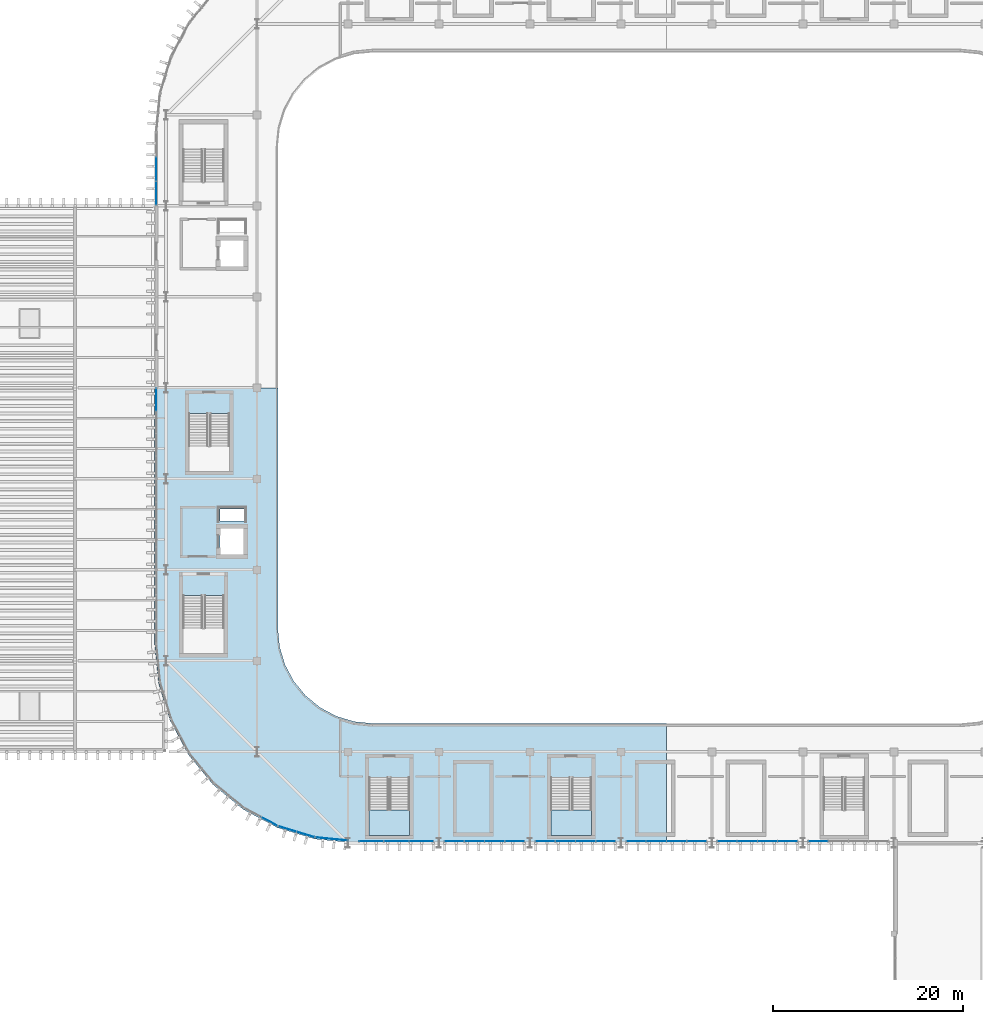
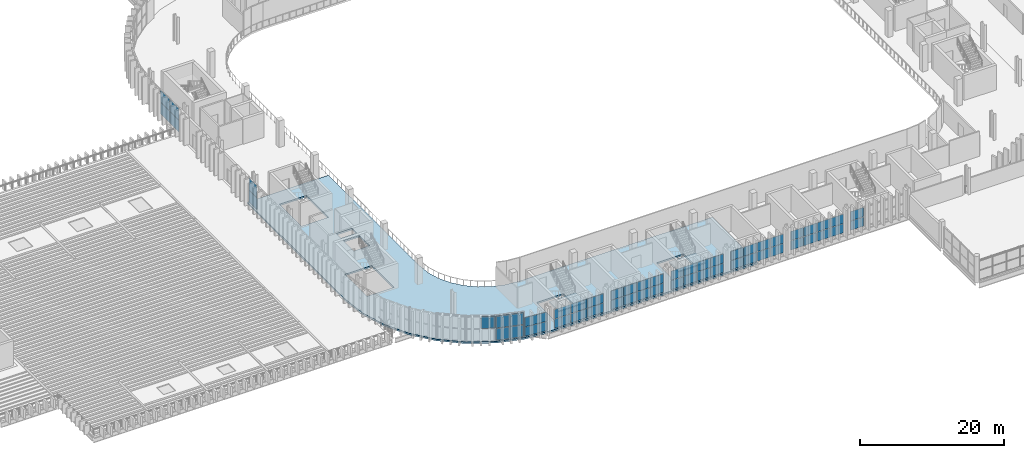
# One storey, part 49 of 92: 53 plates, 3 slabs, 13 elements without a shape of their own.
"""IFC4 building model written with IfcOpenShell, lengths in metres."""

from ifc_helpers import new_model, si_unit, direction, frame, origin, origin_2d, place, context, subcontext, project, spatial, polyline, rectangle, outline, extrude, material, layer, layer_set, type_object, element, aggregate, save


model = new_model("IFC4")

# Units and contexts
model_context = context("Model", 3, precision=1e-05, world=origin(), true_north=direction((0.0, 1.0)))
body_context = subcontext(model_context, "Body", "Model", "MODEL_VIEW")
ifc_project = project(units=[si_unit("LENGTHUNIT", "METRE"), si_unit("AREAUNIT", "SQUARE_METRE"), si_unit("VOLUMEUNIT", "CUBIC_METRE"), si_unit("PLANEANGLEUNIT", "RADIAN"), si_unit("MASSUNIT", "GRAM", prefix="KILO")], contexts=[model_context])

# Site, building, storey
site_placement = place(None, origin())
site = spatial("IfcSite", under=ifc_project, at=site_placement, CompositionType="ELEMENT")
building_placement = place(site_placement, origin())
building = spatial("IfcBuilding", under=site, at=building_placement, Name="Caelomonte Colonnade Arena", CompositionType="ELEMENT")
storey_placement = place(building_placement, frame((0.0, 0.0, 9.60009765625)))
storey = spatial("IfcBuildingStorey", under=building, at=storey_placement, Name="L02", CompositionType="ELEMENT", Elevation=9.60009765625)

# Curtain wall, plates
ifc_material_1 = material(Name="Bronze anodised aluminium and low-E glazing", Category="aluminium")
ifc_layer_1 = layer(ifc_material_1, 0.179931640625)
ifc_layer_set_1 = layer_set([ifc_layer_1], Name="Bronze anodised aluminium and low-E glazing")
curtain_wall_type_1 = type_object("IfcCurtainWallType", Name="ENV-CW-CW-L02-79-42", PredefinedType="USERDEFINED", material=ifc_layer_set_1)
curtain_wall_1_placement = place(storey_placement, origin())
curtain_wall_1 = element("IfcCurtainWall", 1, at=curtain_wall_1_placement, inside=storey, type_object=curtain_wall_type_1, Name="L02 unitized curtain wall CW-L02-0566-0904", ObjectType="UNITIZED CURTAIN WALL", PredefinedType="USERDEFINED")
ifc_material_2 = material(Name="Solar-control bronze low-E double glazing", Category="glass")
ifc_layer_2 = layer(ifc_material_2, 0.028076171875)
ifc_layer_set_2 = layer_set([ifc_layer_2], Name="Solar-control bronze low-E double glazing")
plate_type = type_object("IfcPlateType", Name="ENV-CW-PAN28", PredefinedType="CURTAIN_PANEL", material=ifc_layer_set_2)
plate_1_placement = place(storey_placement, frame((56.580078125, 90.300048828125, 0.070068359375), z_axis=(0.0, 0.0, 1.0), x_axis=(0.0, -1.0, 0.0)))
plate_1 = element("IfcPlate", 2, at=plate_1_placement, type_object=plate_type, Name="CW-L02-79-42 panel 2.1", PredefinedType="CURTAIN_PANEL", context=body_context, shape_type="SweptSolid", body=[
    extrude(rectangle(XDim=2.50341796875, YDim=0.028076171875, at=origin_2d()), origin(), (0.0, 0.0, 1.0), 2.0048828125),
])
plate_2_placement = place(storey_placement, frame((56.580078125, 90.300048828125, 2.14501953125), z_axis=(0.0, 0.0, 1.0), x_axis=(0.0, -1.0, 0.0)))
plate_2 = element("IfcPlate", 3, at=plate_2_placement, type_object=plate_type, Name="CW-L02-79-42 panel 2.2", PredefinedType="CURTAIN_PANEL", context=body_context, shape_type="SweptSolid", body=[
    extrude(rectangle(XDim=2.50341796875, YDim=0.028076171875, at=origin_2d()), origin(), (0.0, 0.0, 1.0), 2.0048828125),
])
plate_3_placement = place(storey_placement, frame((56.580078125, 87.744140625, 0.070068359375), z_axis=(0.0, 0.0, 1.0), x_axis=(0.0, -1.0, 0.0)))
plate_3 = element("IfcPlate", 4, at=plate_3_placement, type_object=plate_type, Name="CW-L02-79-42 panel 3.1", PredefinedType="CURTAIN_PANEL", context=body_context, shape_type="SweptSolid", body=[
    extrude(rectangle(XDim=2.46826171875, YDim=0.028076171875, at=origin_2d()), origin(), (0.0, 0.0, 1.0), 2.0048828125),
])
plate_4_placement = place(storey_placement, frame((56.580078125, 87.744140625, 2.14501953125), z_axis=(0.0, 0.0, 1.0), x_axis=(0.0, -1.0, 0.0)))
plate_4 = element("IfcPlate", 5, at=plate_4_placement, type_object=plate_type, Name="CW-L02-79-42 panel 3.2", PredefinedType="CURTAIN_PANEL", context=body_context, shape_type="SweptSolid", body=[
    extrude(rectangle(XDim=2.46826171875, YDim=0.028076171875, at=origin_2d()), origin(), (0.0, 0.0, 1.0), 2.0048828125),
])
aggregate(curtain_wall_1, [plate_1, plate_2, plate_3, plate_4])

ifc_layer_3 = layer(ifc_material_1, 0.179931640625)
ifc_layer_set_3 = layer_set([ifc_layer_3], Name="Bronze anodised aluminium and low-E glazing")
curtain_wall_type_2 = type_object("IfcCurtainWallType", Name="ENV-CW-CW-L02-96-42", PredefinedType="USERDEFINED", material=ifc_layer_set_3)
curtain_wall_2_placement = place(storey_placement, origin())
curtain_wall_2 = element("IfcCurtainWall", 6, at=curtain_wall_2_placement, inside=storey, type_object=curtain_wall_type_2, Name="L02 unitized curtain wall CW-L02-0566-0624", ObjectType="UNITIZED CURTAIN WALL", PredefinedType="USERDEFINED")
plate_5_placement = place(storey_placement, frame((56.580078125, 65.952392578125, 0.070068359375), z_axis=(0.0, 0.0, 1.0), x_axis=(0.0, -1.0, 0.0)))
plate_5 = element("IfcPlate", 7, at=plate_5_placement, type_object=plate_type, Name="CW-L02-96-42 panel 1.1", PredefinedType="CURTAIN_PANEL", context=body_context, shape_type="SweptSolid", body=[
    extrude(rectangle(XDim=2.27490234375, YDim=0.028076171875, at=origin_2d()), origin(), (0.0, 0.0, 1.0), 2.0048828125),
])
plate_6_placement = place(storey_placement, frame((56.580078125, 65.952392578125, 2.14501953125), z_axis=(0.0, 0.0, 1.0), x_axis=(0.0, -1.0, 0.0)))
plate_6 = element("IfcPlate", 8, at=plate_6_placement, type_object=plate_type, Name="CW-L02-96-42 panel 1.2", PredefinedType="CURTAIN_PANEL", context=body_context, shape_type="SweptSolid", body=[
    extrude(rectangle(XDim=2.27490234375, YDim=0.028076171875, at=origin_2d()), origin(), (0.0, 0.0, 1.0), 2.0048828125),
])
aggregate(curtain_wall_2, [plate_5, plate_6])

# Curtain wall, plate
ifc_layer_4 = layer(ifc_material_1, 0.179931640625)
ifc_layer_set_4 = layer_set([ifc_layer_4], Name="Bronze anodised aluminium and low-E glazing")
curtain_wall_type_3 = type_object("IfcCurtainWallType", Name="ENV-CW-CW-L02-44-42", PredefinedType="USERDEFINED", material=ifc_layer_set_4)
curtain_wall_3_placement = place(storey_placement, origin())
curtain_wall_3 = element("IfcCurtainWall", 9, at=curtain_wall_3_placement, inside=storey, type_object=curtain_wall_type_3, Name="L02 unitized curtain wall CW-L02-0676-0219", ObjectType="UNITIZED CURTAIN WALL", PredefinedType="USERDEFINED")
plate_7_placement = place(storey_placement, frame((68.5078125, 21.4599609375, 2.14501953125), z_axis=(0.0, 0.0, 1.0), x_axis=(0.881922613642, -0.471394212466, 0.0)))
plate_7 = element("IfcPlate", 10, at=plate_7_placement, type_object=plate_type, Name="CW-L02-44-42 panel 2.2", PredefinedType="CURTAIN_PANEL", context=body_context, shape_type="SweptSolid", body=[
    extrude(rectangle(XDim=1.913330078125, YDim=0.028076171875, at=origin_2d()), origin(), (0.0, 0.0, 1.0), 2.0048828125),
])
aggregate(curtain_wall_3, [plate_7])

# Curtain wall, plates
curtain_wall_4_placement = place(storey_placement, origin())
curtain_wall_4 = element("IfcCurtainWall", 11, at=curtain_wall_4_placement, inside=storey, type_object=curtain_wall_type_3, Name="L02 unitized curtain wall CW-L02-0714-0204", ObjectType="UNITIZED CURTAIN WALL", PredefinedType="USERDEFINED")
plate_8_placement = place(storey_placement, frame((70.4365234375, 20.6611328125, 0.070068359375), z_axis=(0.0, 0.0, 1.0), x_axis=(0.956949160999, -0.290255582655, 0.0)))
plate_8 = element("IfcPlate", 12, at=plate_8_placement, type_object=plate_type, Name="CW-L02-44-42 panel 1.1", PredefinedType="CURTAIN_PANEL", context=body_context, shape_type="SweptSolid", body=[
    extrude(rectangle(XDim=1.913330078125, YDim=0.028076171875, at=origin_2d()), origin(), (0.0, 0.0, 1.0), 2.0048828125),
])
plate_9_placement = place(storey_placement, frame((70.4365234375, 20.6611328125, 2.14501953125), z_axis=(0.0, 0.0, 1.0), x_axis=(0.956949160999, -0.290255582655, 0.0)))
plate_9 = element("IfcPlate", 13, at=plate_9_placement, type_object=plate_type, Name="CW-L02-44-42 panel 1.2", PredefinedType="CURTAIN_PANEL", context=body_context, shape_type="SweptSolid", body=[
    extrude(rectangle(XDim=1.913330078125, YDim=0.028076171875, at=origin_2d()), origin(), (0.0, 0.0, 1.0), 2.0048828125),
])
plate_10_placement = place(storey_placement, frame((72.334716796875, 20.08544921875, 0.070068359375), z_axis=(0.0, 0.0, 1.0), x_axis=(0.956949160999, -0.290255582655, 0.0)))
plate_10 = element("IfcPlate", 14, at=plate_10_placement, type_object=plate_type, Name="CW-L02-44-42 panel 2.1", PredefinedType="CURTAIN_PANEL", context=body_context, shape_type="SweptSolid", body=[
    extrude(rectangle(XDim=1.913330078125, YDim=0.028076171875, at=origin_2d()), origin(), (0.0, 0.0, 1.0), 2.0048828125),
])
plate_11_placement = place(storey_placement, frame((72.334716796875, 20.08544921875, 2.14501953125), z_axis=(0.0, 0.0, 1.0), x_axis=(0.956949160999, -0.290255582655, 0.0)))
plate_11 = element("IfcPlate", 15, at=plate_11_placement, type_object=plate_type, Name="CW-L02-44-42 panel 2.2", PredefinedType="CURTAIN_PANEL", context=body_context, shape_type="SweptSolid", body=[
    extrude(rectangle(XDim=1.913330078125, YDim=0.028076171875, at=origin_2d()), origin(), (0.0, 0.0, 1.0), 2.0048828125),
])
aggregate(curtain_wall_4, [plate_8, plate_9, plate_10, plate_11])

ifc_layer_5 = layer(ifc_material_1, 0.179931640625)
ifc_layer_set_5 = layer_set([ifc_layer_5], Name="Bronze anodised aluminium and low-E glazing")
curtain_wall_type_4 = type_object("IfcCurtainWallType", Name="ENV-CW-CW-L02-42-33", PredefinedType="USERDEFINED", material=ifc_layer_set_5)
curtain_wall_5_placement = place(storey_placement, origin())
curtain_wall_5 = element("IfcCurtainWall", 16, at=curtain_wall_5_placement, inside=storey, type_object=curtain_wall_type_4, Name="L02 unitized curtain wall CW-L02-0753-0196", ObjectType="UNITIZED CURTAIN WALL", PredefinedType="USERDEFINED")
plate_12_placement = place(storey_placement, frame((75.127685546875, 19.604736328125, 0.06982421875), z_axis=(0.0, 0.0, 1.0), x_axis=(0.995184134744, -0.098023150088, 0.0)))
plate_12 = element("IfcPlate", 17, at=plate_12_placement, type_object=plate_type, Name="CW-L02-42-33 panel 1.1", PredefinedType="CURTAIN_PANEL", context=body_context, shape_type="SweptSolid", body=[
    extrude(rectangle(XDim=3.4111328125, YDim=0.028076171875, at=origin_2d()), origin(), (0.0, 0.0, 1.0), 1.54150390625),
])
plate_13_placement = place(storey_placement, frame((75.127685546875, 19.604736328125, 1.681396484375), z_axis=(0.0, 0.0, 1.0), x_axis=(0.995184134744, -0.098023150088, 0.0)))
plate_13 = element("IfcPlate", 18, at=plate_13_placement, type_object=plate_type, Name="CW-L02-42-33 panel 1.2", PredefinedType="CURTAIN_PANEL", context=body_context, shape_type="SweptSolid", body=[
    extrude(rectangle(XDim=3.4111328125, YDim=0.028076171875, at=origin_2d()), origin(), (0.0, 0.0, 1.0), 1.54150390625),
])
aggregate(curtain_wall_5, [plate_12, plate_13])

ifc_layer_6 = layer(ifc_material_1, 0.179931640625)
ifc_layer_set_6 = layer_set([ifc_layer_6], Name="Bronze anodised aluminium and low-E glazing")
curtain_wall_type_5 = type_object("IfcCurtainWallType", Name="ENV-CW-CW-L02-90-33", PredefinedType="USERDEFINED", material=ifc_layer_set_6)
curtain_wall_6_placement = place(storey_placement, origin())
curtain_wall_6 = element("IfcCurtainWall", 19, at=curtain_wall_6_placement, inside=storey, type_object=curtain_wall_type_5, Name="L02 unitized curtain wall CW-L02-0819-0194", ObjectType="UNITIZED CURTAIN WALL", PredefinedType="USERDEFINED")
plate_14_placement = place(storey_placement, frame((79.267822265625, 19.3798828125, 0.06982421875), z_axis=(0.0, 0.0, 1.0), x_axis=(1.0, 0.0, 0.0)))
plate_14 = element("IfcPlate", 20, at=plate_14_placement, type_object=plate_type, Name="CW-L02-90-33 panel 1.1", PredefinedType="CURTAIN_PANEL", context=body_context, shape_type="SweptSolid", body=[
    extrude(rectangle(XDim=2.544677734375, YDim=0.028076171875, at=origin_2d()), origin(), (0.0, 0.0, 1.0), 1.54150390625),
])
plate_15_placement = place(storey_placement, frame((79.267822265625, 19.3798828125, 1.681396484375), z_axis=(0.0, 0.0, 1.0), x_axis=(1.0, 0.0, 0.0)))
plate_15 = element("IfcPlate", 21, at=plate_15_placement, type_object=plate_type, Name="CW-L02-90-33 panel 1.2", PredefinedType="CURTAIN_PANEL", context=body_context, shape_type="SweptSolid", body=[
    extrude(rectangle(XDim=2.544677734375, YDim=0.028076171875, at=origin_2d()), origin(), (0.0, 0.0, 1.0), 1.54150390625),
])
plate_16_placement = place(storey_placement, frame((81.89990234375, 19.3798828125, 0.06982421875), z_axis=(0.0, 0.0, 1.0), x_axis=(1.0, 0.0, 0.0)))
plate_16 = element("IfcPlate", 22, at=plate_16_placement, type_object=plate_type, Name="CW-L02-90-33 panel 2.1", PredefinedType="CURTAIN_PANEL", context=body_context, shape_type="SweptSolid", body=[
    extrude(rectangle(XDim=2.57958984375, YDim=0.028076171875, at=origin_2d()), origin(), (0.0, 0.0, 1.0), 1.54150390625),
])
plate_17_placement = place(storey_placement, frame((81.89990234375, 19.3798828125, 1.681396484375), z_axis=(0.0, 0.0, 1.0), x_axis=(1.0, 0.0, 0.0)))
plate_17 = element("IfcPlate", 23, at=plate_17_placement, type_object=plate_type, Name="CW-L02-90-33 panel 2.2", PredefinedType="CURTAIN_PANEL", context=body_context, shape_type="SweptSolid", body=[
    extrude(rectangle(XDim=2.57958984375, YDim=0.028076171875, at=origin_2d()), origin(), (0.0, 0.0, 1.0), 1.54150390625),
])
plate_18_placement = place(storey_placement, frame((84.5322265625, 19.3798828125, 0.06982421875), z_axis=(0.0, 0.0, 1.0), x_axis=(1.0, 0.0, 0.0)))
plate_18 = element("IfcPlate", 24, at=plate_18_placement, type_object=plate_type, Name="CW-L02-90-33 panel 3.1", PredefinedType="CURTAIN_PANEL", context=body_context, shape_type="SweptSolid", body=[
    extrude(rectangle(XDim=2.544677734375, YDim=0.028076171875, at=origin_2d()), origin(), (0.0, 0.0, 1.0), 1.54150390625),
])
plate_19_placement = place(storey_placement, frame((84.5322265625, 19.3798828125, 1.681396484375), z_axis=(0.0, 0.0, 1.0), x_axis=(1.0, 0.0, 0.0)))
plate_19 = element("IfcPlate", 25, at=plate_19_placement, type_object=plate_type, Name="CW-L02-90-33 panel 3.2", PredefinedType="CURTAIN_PANEL", context=body_context, shape_type="SweptSolid", body=[
    extrude(rectangle(XDim=2.544677734375, YDim=0.028076171875, at=origin_2d()), origin(), (0.0, 0.0, 1.0), 1.54150390625),
])
aggregate(curtain_wall_6, [plate_14, plate_15, plate_16, plate_17, plate_18, plate_19])

ifc_layer_7 = layer(ifc_material_1, 0.179931640625)
ifc_layer_set_7 = layer_set([ifc_layer_7], Name="Bronze anodised aluminium and low-E glazing")
curtain_wall_type_6 = type_object("IfcCurtainWallType", Name="ENV-CW-CW-L02-96-33", PredefinedType="USERDEFINED", material=ifc_layer_set_7)
curtain_wall_7_placement = place(storey_placement, origin())
curtain_wall_7 = element("IfcCurtainWall", 26, at=curtain_wall_7_placement, inside=storey, type_object=curtain_wall_type_6, Name="L02 unitized curtain wall CW-L02-0912-0194", ObjectType="UNITIZED CURTAIN WALL", PredefinedType="USERDEFINED")
plate_20_placement = place(storey_placement, frame((88.01171875, 19.3798828125, 0.06982421875), z_axis=(0.0, 0.0, 1.0), x_axis=(1.0, 0.0, 0.0)))
plate_20 = element("IfcPlate", 27, at=plate_20_placement, type_object=plate_type, Name="CW-L02-96-33 panel 1.1", PredefinedType="CURTAIN_PANEL", context=body_context, shape_type="SweptSolid", body=[
    extrude(rectangle(XDim=2.0322265625, YDim=0.028076171875, at=origin_2d()), origin(), (0.0, 0.0, 1.0), 1.54150390625),
])
plate_21_placement = place(storey_placement, frame((88.01171875, 19.3798828125, 1.681396484375), z_axis=(0.0, 0.0, 1.0), x_axis=(1.0, 0.0, 0.0)))
plate_21 = element("IfcPlate", 28, at=plate_21_placement, type_object=plate_type, Name="CW-L02-96-33 panel 1.2", PredefinedType="CURTAIN_PANEL", context=body_context, shape_type="SweptSolid", body=[
    extrude(rectangle(XDim=2.0322265625, YDim=0.028076171875, at=origin_2d()), origin(), (0.0, 0.0, 1.0), 1.54150390625),
])
plate_22_placement = place(storey_placement, frame((90.13134765625, 19.3798828125, 0.06982421875), z_axis=(0.0, 0.0, 1.0), x_axis=(1.0, 0.0, 0.0)))
plate_22 = element("IfcPlate", 29, at=plate_22_placement, type_object=plate_type, Name="CW-L02-96-33 panel 2.1", PredefinedType="CURTAIN_PANEL", context=body_context, shape_type="SweptSolid", body=[
    extrude(rectangle(XDim=2.067138671875, YDim=0.028076171875, at=origin_2d()), origin(), (0.0, 0.0, 1.0), 1.54150390625),
])
plate_23_placement = place(storey_placement, frame((90.13134765625, 19.3798828125, 1.681396484375), z_axis=(0.0, 0.0, 1.0), x_axis=(1.0, 0.0, 0.0)))
plate_23 = element("IfcPlate", 30, at=plate_23_placement, type_object=plate_type, Name="CW-L02-96-33 panel 2.2", PredefinedType="CURTAIN_PANEL", context=body_context, shape_type="SweptSolid", body=[
    extrude(rectangle(XDim=2.067138671875, YDim=0.028076171875, at=origin_2d()), origin(), (0.0, 0.0, 1.0), 1.54150390625),
])
plate_24_placement = place(storey_placement, frame((92.2685546875, 19.3798828125, 0.06982421875), z_axis=(0.0, 0.0, 1.0), x_axis=(1.0, 0.0, 0.0)))
plate_24 = element("IfcPlate", 31, at=plate_24_placement, type_object=plate_type, Name="CW-L02-96-33 panel 3.1", PredefinedType="CURTAIN_PANEL", context=body_context, shape_type="SweptSolid", body=[
    extrude(rectangle(XDim=2.067138671875, YDim=0.028076171875, at=origin_2d()), origin(), (0.0, 0.0, 1.0), 1.54150390625),
])
plate_25_placement = place(storey_placement, frame((92.2685546875, 19.3798828125, 1.681396484375), z_axis=(0.0, 0.0, 1.0), x_axis=(1.0, 0.0, 0.0)))
plate_25 = element("IfcPlate", 32, at=plate_25_placement, type_object=plate_type, Name="CW-L02-96-33 panel 3.2", PredefinedType="CURTAIN_PANEL", context=body_context, shape_type="SweptSolid", body=[
    extrude(rectangle(XDim=2.067138671875, YDim=0.028076171875, at=origin_2d()), origin(), (0.0, 0.0, 1.0), 1.54150390625),
])
plate_26_placement = place(storey_placement, frame((94.388427734375, 19.3798828125, 0.06982421875), z_axis=(0.0, 0.0, 1.0), x_axis=(1.0, 0.0, 0.0)))
plate_26 = element("IfcPlate", 33, at=plate_26_placement, type_object=plate_type, Name="CW-L02-96-33 panel 4.1", PredefinedType="CURTAIN_PANEL", context=body_context, shape_type="SweptSolid", body=[
    extrude(rectangle(XDim=2.0322265625, YDim=0.028076171875, at=origin_2d()), origin(), (0.0, 0.0, 1.0), 1.54150390625),
])
plate_27_placement = place(storey_placement, frame((94.388427734375, 19.3798828125, 1.681396484375), z_axis=(0.0, 0.0, 1.0), x_axis=(1.0, 0.0, 0.0)))
plate_27 = element("IfcPlate", 34, at=plate_27_placement, type_object=plate_type, Name="CW-L02-96-33 panel 4.2", PredefinedType="CURTAIN_PANEL", context=body_context, shape_type="SweptSolid", body=[
    extrude(rectangle(XDim=2.0322265625, YDim=0.028076171875, at=origin_2d()), origin(), (0.0, 0.0, 1.0), 1.54150390625),
])
aggregate(curtain_wall_7, [plate_20, plate_21, plate_22, plate_23, plate_24, plate_25, plate_26, plate_27])

curtain_wall_8_placement = place(storey_placement, origin())
curtain_wall_8 = element("IfcCurtainWall", 35, at=curtain_wall_8_placement, inside=storey, type_object=curtain_wall_type_6, Name="L02 unitized curtain wall CW-L02-1008-0194", ObjectType="UNITIZED CURTAIN WALL", PredefinedType="USERDEFINED")
plate_28_placement = place(storey_placement, frame((97.611572265625, 19.3798828125, 0.06982421875), z_axis=(0.0, 0.0, 1.0), x_axis=(1.0, 0.0, 0.0)))
plate_28 = element("IfcPlate", 36, at=plate_28_placement, type_object=plate_type, Name="CW-L02-96-33 panel 1.1", PredefinedType="CURTAIN_PANEL", context=body_context, shape_type="SweptSolid", body=[
    extrude(rectangle(XDim=2.0322265625, YDim=0.028076171875, at=origin_2d()), origin(), (0.0, 0.0, 1.0), 1.54150390625),
])
plate_29_placement = place(storey_placement, frame((97.611572265625, 19.3798828125, 1.681396484375), z_axis=(0.0, 0.0, 1.0), x_axis=(1.0, 0.0, 0.0)))
plate_29 = element("IfcPlate", 37, at=plate_29_placement, type_object=plate_type, Name="CW-L02-96-33 panel 1.2", PredefinedType="CURTAIN_PANEL", context=body_context, shape_type="SweptSolid", body=[
    extrude(rectangle(XDim=2.0322265625, YDim=0.028076171875, at=origin_2d()), origin(), (0.0, 0.0, 1.0), 1.54150390625),
])
plate_30_placement = place(storey_placement, frame((99.7314453125, 19.3798828125, 0.06982421875), z_axis=(0.0, 0.0, 1.0), x_axis=(1.0, 0.0, 0.0)))
plate_30 = element("IfcPlate", 38, at=plate_30_placement, type_object=plate_type, Name="CW-L02-96-33 panel 2.1", PredefinedType="CURTAIN_PANEL", context=body_context, shape_type="SweptSolid", body=[
    extrude(rectangle(XDim=2.067138671875, YDim=0.028076171875, at=origin_2d()), origin(), (0.0, 0.0, 1.0), 1.54150390625),
])
plate_31_placement = place(storey_placement, frame((99.7314453125, 19.3798828125, 1.681396484375), z_axis=(0.0, 0.0, 1.0), x_axis=(1.0, 0.0, 0.0)))
plate_31 = element("IfcPlate", 39, at=plate_31_placement, type_object=plate_type, Name="CW-L02-96-33 panel 2.2", PredefinedType="CURTAIN_PANEL", context=body_context, shape_type="SweptSolid", body=[
    extrude(rectangle(XDim=2.067138671875, YDim=0.028076171875, at=origin_2d()), origin(), (0.0, 0.0, 1.0), 1.54150390625),
])
plate_32_placement = place(storey_placement, frame((101.86865234375, 19.3798828125, 0.06982421875), z_axis=(0.0, 0.0, 1.0), x_axis=(1.0, 0.0, 0.0)))
plate_32 = element("IfcPlate", 40, at=plate_32_placement, type_object=plate_type, Name="CW-L02-96-33 panel 3.1", PredefinedType="CURTAIN_PANEL", context=body_context, shape_type="SweptSolid", body=[
    extrude(rectangle(XDim=2.067138671875, YDim=0.028076171875, at=origin_2d()), origin(), (0.0, 0.0, 1.0), 1.54150390625),
])
plate_33_placement = place(storey_placement, frame((101.86865234375, 19.3798828125, 1.681396484375), z_axis=(0.0, 0.0, 1.0), x_axis=(1.0, 0.0, 0.0)))
plate_33 = element("IfcPlate", 41, at=plate_33_placement, type_object=plate_type, Name="CW-L02-96-33 panel 3.2", PredefinedType="CURTAIN_PANEL", context=body_context, shape_type="SweptSolid", body=[
    extrude(rectangle(XDim=2.067138671875, YDim=0.028076171875, at=origin_2d()), origin(), (0.0, 0.0, 1.0), 1.54150390625),
])
plate_34_placement = place(storey_placement, frame((103.98828125, 19.3798828125, 0.06982421875), z_axis=(0.0, 0.0, 1.0), x_axis=(1.0, 0.0, 0.0)))
plate_34 = element("IfcPlate", 42, at=plate_34_placement, type_object=plate_type, Name="CW-L02-96-33 panel 4.1", PredefinedType="CURTAIN_PANEL", context=body_context, shape_type="SweptSolid", body=[
    extrude(rectangle(XDim=2.0322265625, YDim=0.028076171875, at=origin_2d()), origin(), (0.0, 0.0, 1.0), 1.54150390625),
])
plate_35_placement = place(storey_placement, frame((103.98828125, 19.3798828125, 1.681396484375), z_axis=(0.0, 0.0, 1.0), x_axis=(1.0, 0.0, 0.0)))
plate_35 = element("IfcPlate", 43, at=plate_35_placement, type_object=plate_type, Name="CW-L02-96-33 panel 4.2", PredefinedType="CURTAIN_PANEL", context=body_context, shape_type="SweptSolid", body=[
    extrude(rectangle(XDim=2.0322265625, YDim=0.028076171875, at=origin_2d()), origin(), (0.0, 0.0, 1.0), 1.54150390625),
])
aggregate(curtain_wall_8, [plate_28, plate_29, plate_30, plate_31, plate_32, plate_33, plate_34, plate_35])

curtain_wall_9_placement = place(storey_placement, origin())
curtain_wall_9 = element("IfcCurtainWall", 44, at=curtain_wall_9_placement, inside=storey, type_object=curtain_wall_type_6, Name="L02 unitized curtain wall CW-L02-1104-0194", ObjectType="UNITIZED CURTAIN WALL", PredefinedType="USERDEFINED")
plate_36_placement = place(storey_placement, frame((107.211669921875, 19.3798828125, 0.06982421875), z_axis=(0.0, 0.0, 1.0), x_axis=(1.0, 0.0, 0.0)))
plate_36 = element("IfcPlate", 45, at=plate_36_placement, type_object=plate_type, Name="CW-L02-96-33 panel 1.1", PredefinedType="CURTAIN_PANEL", context=body_context, shape_type="SweptSolid", body=[
    extrude(rectangle(XDim=2.0322265625, YDim=0.028076171875, at=origin_2d()), origin(), (0.0, 0.0, 1.0), 1.54150390625),
])
plate_37_placement = place(storey_placement, frame((107.211669921875, 19.3798828125, 1.681396484375), z_axis=(0.0, 0.0, 1.0), x_axis=(1.0, 0.0, 0.0)))
plate_37 = element("IfcPlate", 46, at=plate_37_placement, type_object=plate_type, Name="CW-L02-96-33 panel 1.2", PredefinedType="CURTAIN_PANEL", context=body_context, shape_type="SweptSolid", body=[
    extrude(rectangle(XDim=2.0322265625, YDim=0.028076171875, at=origin_2d()), origin(), (0.0, 0.0, 1.0), 1.54150390625),
])
plate_38_placement = place(storey_placement, frame((109.331298828125, 19.3798828125, 0.06982421875), z_axis=(0.0, 0.0, 1.0), x_axis=(1.0, 0.0, 0.0)))
plate_38 = element("IfcPlate", 47, at=plate_38_placement, type_object=plate_type, Name="CW-L02-96-33 panel 2.1", PredefinedType="CURTAIN_PANEL", context=body_context, shape_type="SweptSolid", body=[
    extrude(rectangle(XDim=2.067138671875, YDim=0.028076171875, at=origin_2d()), origin(), (0.0, 0.0, 1.0), 1.54150390625),
])
plate_39_placement = place(storey_placement, frame((109.331298828125, 19.3798828125, 1.681396484375), z_axis=(0.0, 0.0, 1.0), x_axis=(1.0, 0.0, 0.0)))
plate_39 = element("IfcPlate", 48, at=plate_39_placement, type_object=plate_type, Name="CW-L02-96-33 panel 2.2", PredefinedType="CURTAIN_PANEL", context=body_context, shape_type="SweptSolid", body=[
    extrude(rectangle(XDim=2.067138671875, YDim=0.028076171875, at=origin_2d()), origin(), (0.0, 0.0, 1.0), 1.54150390625),
])
plate_40_placement = place(storey_placement, frame((111.468505859375, 19.3798828125, 0.06982421875), z_axis=(0.0, 0.0, 1.0), x_axis=(1.0, 0.0, 0.0)))
plate_40 = element("IfcPlate", 49, at=plate_40_placement, type_object=plate_type, Name="CW-L02-96-33 panel 3.1", PredefinedType="CURTAIN_PANEL", context=body_context, shape_type="SweptSolid", body=[
    extrude(rectangle(XDim=2.067138671875, YDim=0.028076171875, at=origin_2d()), origin(), (0.0, 0.0, 1.0), 1.54150390625),
])
plate_41_placement = place(storey_placement, frame((111.468505859375, 19.3798828125, 1.681396484375), z_axis=(0.0, 0.0, 1.0), x_axis=(1.0, 0.0, 0.0)))
plate_41 = element("IfcPlate", 50, at=plate_41_placement, type_object=plate_type, Name="CW-L02-96-33 panel 3.2", PredefinedType="CURTAIN_PANEL", context=body_context, shape_type="SweptSolid", body=[
    extrude(rectangle(XDim=2.067138671875, YDim=0.028076171875, at=origin_2d()), origin(), (0.0, 0.0, 1.0), 1.54150390625),
])
plate_42_placement = place(storey_placement, frame((113.58837890625, 19.3798828125, 0.06982421875), z_axis=(0.0, 0.0, 1.0), x_axis=(1.0, 0.0, 0.0)))
plate_42 = element("IfcPlate", 51, at=plate_42_placement, type_object=plate_type, Name="CW-L02-96-33 panel 4.1", PredefinedType="CURTAIN_PANEL", context=body_context, shape_type="SweptSolid", body=[
    extrude(rectangle(XDim=2.0322265625, YDim=0.028076171875, at=origin_2d()), origin(), (0.0, 0.0, 1.0), 1.54150390625),
])
plate_43_placement = place(storey_placement, frame((113.58837890625, 19.3798828125, 1.681396484375), z_axis=(0.0, 0.0, 1.0), x_axis=(1.0, 0.0, 0.0)))
plate_43 = element("IfcPlate", 52, at=plate_43_placement, type_object=plate_type, Name="CW-L02-96-33 panel 4.2", PredefinedType="CURTAIN_PANEL", context=body_context, shape_type="SweptSolid", body=[
    extrude(rectangle(XDim=2.0322265625, YDim=0.028076171875, at=origin_2d()), origin(), (0.0, 0.0, 1.0), 1.54150390625),
])
aggregate(curtain_wall_9, [plate_36, plate_37, plate_38, plate_39, plate_40, plate_41, plate_42, plate_43])

curtain_wall_10_placement = place(storey_placement, origin())
curtain_wall_10 = element("IfcCurtainWall", 53, at=curtain_wall_10_placement, inside=storey, type_object=curtain_wall_type_6, Name="L02 unitized curtain wall CW-L02-1200-0194", ObjectType="UNITIZED CURTAIN WALL", PredefinedType="USERDEFINED")
plate_44_placement = place(storey_placement, frame((116.8115234375, 19.3798828125, 0.06982421875), z_axis=(0.0, 0.0, 1.0), x_axis=(1.0, 0.0, 0.0)))
plate_44 = element("IfcPlate", 54, at=plate_44_placement, type_object=plate_type, Name="CW-L02-96-33 panel 1.1", PredefinedType="CURTAIN_PANEL", context=body_context, shape_type="SweptSolid", body=[
    extrude(rectangle(XDim=2.0322265625, YDim=0.028076171875, at=origin_2d()), origin(), (0.0, 0.0, 1.0), 1.54150390625),
])
plate_45_placement = place(storey_placement, frame((116.8115234375, 19.3798828125, 1.681396484375), z_axis=(0.0, 0.0, 1.0), x_axis=(1.0, 0.0, 0.0)))
plate_45 = element("IfcPlate", 55, at=plate_45_placement, type_object=plate_type, Name="CW-L02-96-33 panel 1.2", PredefinedType="CURTAIN_PANEL", context=body_context, shape_type="SweptSolid", body=[
    extrude(rectangle(XDim=2.0322265625, YDim=0.028076171875, at=origin_2d()), origin(), (0.0, 0.0, 1.0), 1.54150390625),
])
plate_46_placement = place(storey_placement, frame((118.931396484375, 19.3798828125, 0.06982421875), z_axis=(0.0, 0.0, 1.0), x_axis=(1.0, 0.0, 0.0)))
plate_46 = element("IfcPlate", 56, at=plate_46_placement, type_object=plate_type, Name="CW-L02-96-33 panel 2.1", PredefinedType="CURTAIN_PANEL", context=body_context, shape_type="SweptSolid", body=[
    extrude(rectangle(XDim=2.067138671875, YDim=0.028076171875, at=origin_2d()), origin(), (0.0, 0.0, 1.0), 1.54150390625),
])
plate_47_placement = place(storey_placement, frame((118.931396484375, 19.3798828125, 1.681396484375), z_axis=(0.0, 0.0, 1.0), x_axis=(1.0, 0.0, 0.0)))
plate_47 = element("IfcPlate", 57, at=plate_47_placement, type_object=plate_type, Name="CW-L02-96-33 panel 2.2", PredefinedType="CURTAIN_PANEL", context=body_context, shape_type="SweptSolid", body=[
    extrude(rectangle(XDim=2.067138671875, YDim=0.028076171875, at=origin_2d()), origin(), (0.0, 0.0, 1.0), 1.54150390625),
])
plate_48_placement = place(storey_placement, frame((121.068603515625, 19.3798828125, 0.06982421875), z_axis=(0.0, 0.0, 1.0), x_axis=(1.0, 0.0, 0.0)))
plate_48 = element("IfcPlate", 58, at=plate_48_placement, type_object=plate_type, Name="CW-L02-96-33 panel 3.1", PredefinedType="CURTAIN_PANEL", context=body_context, shape_type="SweptSolid", body=[
    extrude(rectangle(XDim=2.067138671875, YDim=0.028076171875, at=origin_2d()), origin(), (0.0, 0.0, 1.0), 1.54150390625),
])
plate_49_placement = place(storey_placement, frame((121.068603515625, 19.3798828125, 1.681396484375), z_axis=(0.0, 0.0, 1.0), x_axis=(1.0, 0.0, 0.0)))
plate_49 = element("IfcPlate", 59, at=plate_49_placement, type_object=plate_type, Name="CW-L02-96-33 panel 3.2", PredefinedType="CURTAIN_PANEL", context=body_context, shape_type="SweptSolid", body=[
    extrude(rectangle(XDim=2.067138671875, YDim=0.028076171875, at=origin_2d()), origin(), (0.0, 0.0, 1.0), 1.54150390625),
])
plate_50_placement = place(storey_placement, frame((123.1884765625, 19.3798828125, 0.06982421875), z_axis=(0.0, 0.0, 1.0), x_axis=(1.0, 0.0, 0.0)))
plate_50 = element("IfcPlate", 60, at=plate_50_placement, type_object=plate_type, Name="CW-L02-96-33 panel 4.1", PredefinedType="CURTAIN_PANEL", context=body_context, shape_type="SweptSolid", body=[
    extrude(rectangle(XDim=2.0322265625, YDim=0.028076171875, at=origin_2d()), origin(), (0.0, 0.0, 1.0), 1.54150390625),
])
plate_51_placement = place(storey_placement, frame((123.1884765625, 19.3798828125, 1.681396484375), z_axis=(0.0, 0.0, 1.0), x_axis=(1.0, 0.0, 0.0)))
plate_51 = element("IfcPlate", 61, at=plate_51_placement, type_object=plate_type, Name="CW-L02-96-33 panel 4.2", PredefinedType="CURTAIN_PANEL", context=body_context, shape_type="SweptSolid", body=[
    extrude(rectangle(XDim=2.0322265625, YDim=0.028076171875, at=origin_2d()), origin(), (0.0, 0.0, 1.0), 1.54150390625),
])
aggregate(curtain_wall_10, [plate_44, plate_45, plate_46, plate_47, plate_48, plate_49, plate_50, plate_51])

curtain_wall_11_placement = place(storey_placement, origin())
curtain_wall_11 = element("IfcCurtainWall", 62, at=curtain_wall_11_placement, inside=storey, type_object=curtain_wall_type_6, Name="L02 unitized curtain wall CW-L02-1296-0194", ObjectType="UNITIZED CURTAIN WALL", PredefinedType="USERDEFINED")
plate_52_placement = place(storey_placement, frame((126.41162109375, 19.3798828125, 0.06982421875), z_axis=(0.0, 0.0, 1.0), x_axis=(1.0, 0.0, 0.0)))
plate_52 = element("IfcPlate", 63, at=plate_52_placement, type_object=plate_type, Name="CW-L02-96-33 panel 1.1", PredefinedType="CURTAIN_PANEL", context=body_context, shape_type="SweptSolid", body=[
    extrude(rectangle(XDim=2.0322265625, YDim=0.028076171875, at=origin_2d()), origin(), (0.0, 0.0, 1.0), 1.54150390625),
])
plate_53_placement = place(storey_placement, frame((126.41162109375, 19.3798828125, 1.681396484375), z_axis=(0.0, 0.0, 1.0), x_axis=(1.0, 0.0, 0.0)))
plate_53 = element("IfcPlate", 64, at=plate_53_placement, type_object=plate_type, Name="CW-L02-96-33 panel 1.2", PredefinedType="CURTAIN_PANEL", context=body_context, shape_type="SweptSolid", body=[
    extrude(rectangle(XDim=2.0322265625, YDim=0.028076171875, at=origin_2d()), origin(), (0.0, 0.0, 1.0), 1.54150390625),
])
aggregate(curtain_wall_11, [plate_52, plate_53])

# Stair, slab
ifc_material_3 = material(Name="Concrete C40/50", Category="concrete")
stair_type = type_object("IfcStairType", Name="INT-ST-CORE45", PredefinedType="HALF_TURN_STAIR", material=ifc_material_3)
stair_1_placement = place(storey_placement, origin())
stair_1 = element("IfcStair", 65, at=stair_1_placement, inside=storey, type_object=stair_type, Name="L02 Protected exit stair ST-11", PredefinedType="HALF_TURN_STAIR")
ifc_layer_8 = layer(ifc_material_3, 0.199951171875)
ifc_layer_set_8 = layer_set([ifc_layer_8], Name="Concrete C40/50")
slab_type_1 = type_object("IfcSlabType", Name="INT-SL-LAND20", PredefinedType="LANDING", material=ifc_layer_set_8)
slab_1_placement = place(storey_placement, frame((0.0, 0.0, 2.0498046875)))
slab_1 = element("IfcSlab", 66, at=slab_1_placement, type_object=slab_type_1, Name="ST-11 landing 1", PredefinedType="LANDING", context=body_context, shape_type="SweptSolid", body=[
    extrude(outline(polyline([(79.0, 22.679931640625), (79.0, 20.0), (83.300048828125, 20.0), (83.300048828125, 22.679931640625), (79.0, 22.679931640625)])), origin(), (0.0, 0.0, 1.0), 0.2001953125),
])
aggregate(stair_1, [slab_1])

stair_2_placement = place(storey_placement, origin())
stair_2 = element("IfcStair", 67, at=stair_2_placement, inside=storey, type_object=stair_type, Name="L02 Protected exit stair ST-12", PredefinedType="HALF_TURN_STAIR")
slab_2_placement = place(storey_placement, frame((0.0, 0.0, 2.0498046875)))
slab_2 = element("IfcSlab", 68, at=slab_2_placement, type_object=slab_type_1, Name="ST-12 landing 1", PredefinedType="LANDING", context=body_context, shape_type="SweptSolid", body=[
    extrude(outline(polyline([(98.199951171875, 22.679931640625), (98.199951171875, 20.0), (102.5, 20.0), (102.5, 22.679931640625), (98.199951171875, 22.679931640625)])), origin(), (0.0, 0.0, 1.0), 0.2001953125),
])
aggregate(stair_2, [slab_2])

# Slab
ifc_layer_9 = layer(ifc_material_3, 0.280029296875)
ifc_layer_set_9 = layer_set([ifc_layer_9], Name="Concrete C40/50")
slab_type_2 = type_object("IfcSlabType", Name="STR-SL-FLR28", PredefinedType="FLOOR", material=ifc_layer_set_9)
slab_3_placement = place(storey_placement, frame((0.0, 0.0, -0.280029296875)))
element("IfcSlab", 69, at=slab_3_placement, inside=storey, type_object=slab_type_2, Name="L02 structural floor slab SL-L02-V1-SW", PredefinedType="FLOOR", context=body_context, shape_type="SweptSolid", body=[
    extrude(outline(polyline([(73.302978515625, 19.603515625), (77.39990234375, 19.199951171875), (110.39990234375, 19.199951171875), (110.39990234375, 31.800048828125), (79.39990234375, 31.800048828125), (77.44921875, 31.9921875), (75.5732421875, 32.561279296875), (73.84423828125, 33.4853515625), (72.328857421875, 34.72900390625), (71.085205078125, 36.244384765625), (70.1611328125, 37.97314453125), (69.592041015625, 39.84912109375), (69.39990234375, 41.800048828125), (69.39990234375, 67.199951171875), (56.39990234375, 67.199951171875), (56.39990234375, 40.199951171875), (56.803466796875, 36.10302734375), (57.99853515625, 32.16357421875), (59.939208984375, 28.532958984375), (62.55078125, 25.350830078125), (65.73291015625, 22.739013671875), (69.363525390625, 20.798583984375), (73.302978515625, 19.603515625)]), holes=[polyline([(102.5, 26.10009765625), (102.5, 20.0), (98.199951171875, 20.0), (98.199951171875, 26.10009765625), (102.5, 26.10009765625)]), polyline([(83.300048828125, 26.10009765625), (83.300048828125, 20.0), (79.0, 20.0), (79.0, 26.10009765625), (83.300048828125, 26.10009765625)]), polyline([(63.699951171875, 45.300048828125), (63.699951171875, 39.199951171875), (59.39990234375, 39.199951171875), (59.39990234375, 45.300048828125), (63.699951171875, 45.300048828125)]), polyline([(63.280029296875, 49.580078125), (63.280029296875, 52.419921875), (65.820068359375, 52.419921875), (65.820068359375, 49.580078125), (63.280029296875, 49.580078125)]), polyline([(63.280029296875, 53.179931640625), (63.280029296875, 54.419921875), (65.820068359375, 54.419921875), (65.820068359375, 53.179931640625), (63.280029296875, 53.179931640625)]), polyline([(64.300048828125, 58.39990234375), (60.0, 58.39990234375), (60.0, 64.5), (64.300048828125, 64.5), (64.300048828125, 58.39990234375)])]), origin(), (0.0, 0.0, 1.0), 0.280029296875),
])

save(model, "model.ifc")
